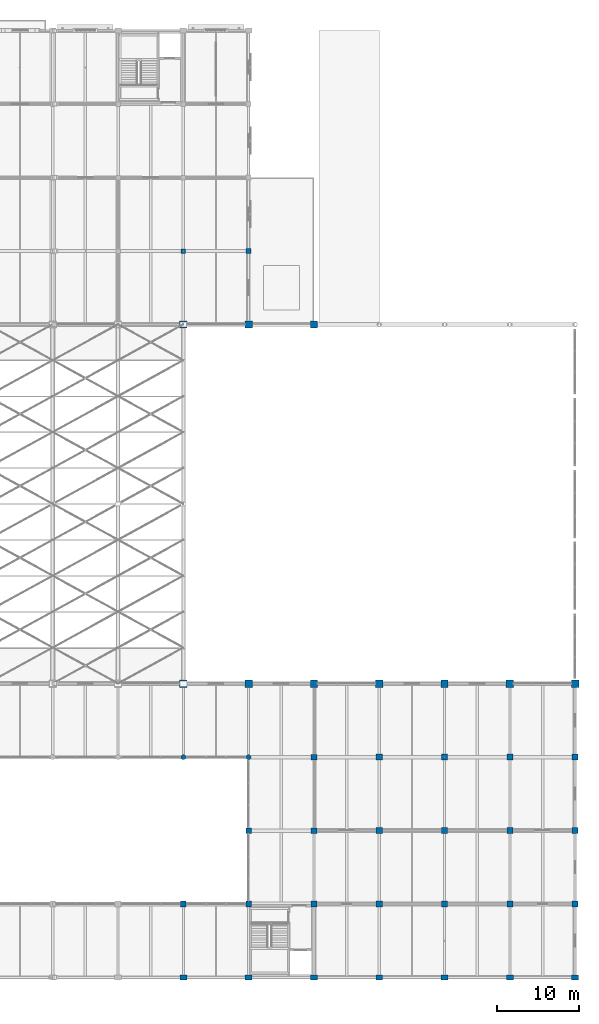
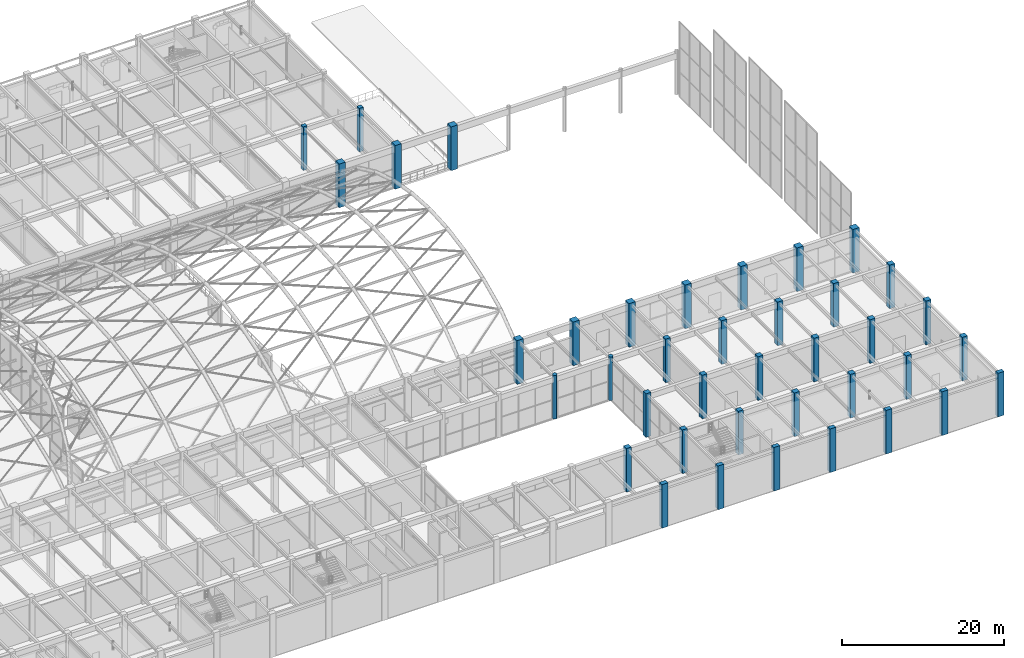
# One storey, part 6 of 163: 39 columns.
"""IFC4 building model written with IfcOpenShell, lengths in metres."""

import ifcopenshell
import ifcopenshell.guid

model = None  # the IFC model being written
_history = None  # IfcOwnerHistory: only IFC2X3 demands one
_inside = {}  # id of a spatial element -> (the spatial element, [elements in it])
_under = {}  # id of a project, library or spatial element -> (it, [spatial elements below it])
_declared = {}  # id of a project -> (the project, [libraries it declares])
_typed = {}  # id of a type object -> (the type object, [elements of that type])
_made_of = {}  # id of a material, layer set ... -> (it, [elements and type objects made of it])


def new_model(schema):
    """Start an empty IFC model of exactly this schema.

    Asked for "IFC4X3", IfcOpenShell would pick the latest addendum, in which some entities
    have other attributes; the version numbers below select the first issue.
    IFC2X3 requires an IfcOwnerHistory on every rooted entity: one is made here for all.
    """
    global model, _history
    if schema == "IFC4X3":
        model = ifcopenshell.file(schema_version=(4, 3, 0, 0))
    else:
        model = ifcopenshell.file(schema=schema)
    _inside.clear()
    _under.clear()
    _declared.clear()
    _typed.clear()
    _made_of.clear()
    _history = None
    if model.schema == "IFC2X3":
        org = make("IfcOrganization", Name="unknown")
        user = make(
            "IfcPersonAndOrganization",
            ThePerson=make("IfcPerson", FamilyName="unknown"),
            TheOrganization=org,
        )
        app = make(
            "IfcApplication",
            ApplicationDeveloper=org,
            Version="unknown",
            ApplicationFullName="unknown",
            ApplicationIdentifier="unknown",
        )
        _history = make(
            "IfcOwnerHistory",
            OwningUser=user,
            OwningApplication=app,
            ChangeAction="ADDED",
            CreationDate=0,
        )
    return model


def make(cls, **values):
    """One entity of the class cls with the attributes given. An attribute that is None is left unset."""
    return model.create_entity(
        cls, **{name: value for name, value in values.items() if value is not None}
    )


def rooted(cls, **values):
    """An entity with a GlobalId (a new one), such as an element, a storey or a relation."""
    return make(cls, GlobalId=ifcopenshell.guid.new(), OwnerHistory=_history, **values)


def si_unit(unit_type, name, prefix=None):
    """IfcSIUnit, for example si_unit("LENGTHUNIT", "METRE", prefix="MILLI")."""
    return make("IfcSIUnit", UnitType=unit_type, Prefix=prefix, Name=name)


def assignment(units):
    """IfcUnitAssignment: the units of a project."""
    return None if units is None else make("IfcUnitAssignment", Units=units)


def point(xyz):
    """IfcCartesianPoint."""
    return None if xyz is None else make("IfcCartesianPoint", Coordinates=xyz)


def direction(xyz):
    """IfcDirection."""
    return None if xyz is None else make("IfcDirection", DirectionRatios=xyz)


def frame(location, z_axis=None, x_axis=None):
    """IfcAxis2Placement3D, a coordinate frame: its origin and axes. An axis left out is left unset."""
    return make(
        "IfcAxis2Placement3D",
        Location=point(location),
        Axis=direction(z_axis),
        RefDirection=direction(x_axis),
    )


def frame_2d(location, x_axis=None):
    """IfcAxis2Placement2D, a coordinate frame in the plane: its origin and x axis."""
    return make(
        "IfcAxis2Placement2D", Location=point(location), RefDirection=direction(x_axis)
    )


def origin():
    """The frame at (0, 0, 0) with its axes left unset."""
    return frame((0.0, 0.0, 0.0))


def origin_2d():
    """The frame at (0, 0) in the plane with its x axis left unset."""
    return frame_2d((0.0, 0.0))


def place(relative_to, where):
    """IfcLocalPlacement: puts the frame where relative to a parent placement (None: the world)."""
    return make(
        "IfcLocalPlacement", PlacementRelTo=relative_to, RelativePlacement=where
    )


def context(
    kind, dimensions, precision=None, world=None, true_north=None, identifier=None
):
    """IfcGeometricRepresentationContext, for example the 3D "Model" context."""
    return make(
        "IfcGeometricRepresentationContext",
        ContextIdentifier=identifier,
        ContextType=kind,
        CoordinateSpaceDimension=dimensions,
        Precision=precision,
        WorldCoordinateSystem=world,
        TrueNorth=true_north,
    )


def subcontext(parent, identifier, kind, view, scale=None):
    """IfcGeometricRepresentationSubContext, for example "Body" below "Model"."""
    return make(
        "IfcGeometricRepresentationSubContext",
        ContextIdentifier=identifier,
        ContextType=kind,
        ParentContext=parent,
        TargetScale=scale,
        TargetView=view,
    )


def project(units=None, contexts=None):
    """IfcProject with its units and contexts."""
    return rooted(
        "IfcProject",
        Name="project",
        RepresentationContexts=contexts,
        UnitsInContext=assignment(units),
    )


def spatial(cls, under=None, at=None, **own):
    """A site, building, storey or space (cls), placed at a placement, below another one or the project."""
    s = rooted(cls, ObjectPlacement=at, **own)
    if under is not None:
        _under.setdefault(under.id(), (under, []))[1].append(s)
    return s


def profile(cls, at=None, kind="AREA", **sizes):
    """A parametric profile (cls). Its sizes go by their IFC names, for example OverallWidth=200.0."""
    return make(cls, ProfileType=kind, Position=at, **sizes)


def rectangle(**sizes):
    """IfcRectangleProfileDef."""
    return profile("IfcRectangleProfileDef", **sizes)


def circle(**sizes):
    """IfcCircleProfileDef."""
    return profile("IfcCircleProfileDef", **sizes)


def extrude(swept, where, along, depth):
    """IfcExtrudedAreaSolid: the profile swept, set in the frame where, extruded along a direction by depth."""
    return make(
        "IfcExtrudedAreaSolid",
        SweptArea=swept,
        Position=where,
        ExtrudedDirection=direction(along),
        Depth=depth,
    )


def shape(context_of_items, identifier, shape_type, items):
    """IfcShapeRepresentation: the items that make up one representation, for example the "Body"."""
    return make(
        "IfcShapeRepresentation",
        ContextOfItems=context_of_items,
        RepresentationIdentifier=identifier,
        RepresentationType=shape_type,
        Items=items,
    )


def material(Name=None, Category=None):
    """IfcMaterial."""
    return make("IfcMaterial", Name=Name, Category=Category)


def material_profile(
    of_material, cross_section, Name=None, Category=None, Priority=None
):
    """IfcMaterialProfile: a cross section and its material."""
    return make(
        "IfcMaterialProfile",
        Name=Name,
        Material=of_material,
        Profile=cross_section,
        Priority=Priority,
        Category=Category,
    )


def profile_set(profiles, Name=None, composite=None):
    """IfcMaterialProfileSet."""
    return make(
        "IfcMaterialProfileSet",
        Name=Name,
        MaterialProfiles=profiles,
        CompositeProfile=composite,
    )


def made_of(thing, what):
    """Note that an element or type object is made of a material, layer set ...; save() writes the relation."""
    if what is not None:
        _made_of.setdefault(what.id(), (what, []))[1].append(thing)
    return thing


def type_object(cls, material=None, **own):
    """A type object (cls), such as IfcWallType, which elements share."""
    return made_of(rooted(cls, **own), material)


def element(
    cls,
    number,
    at=None,
    inside=None,
    cuts=None,
    type_object=None,
    material=None,
    context=None,
    identifier="Body",
    shape_type=None,
    held_by="IfcProductDefinitionShape",
    body=None,
    shapes=None,
    **own,
):
    """One element of the class cls, such as IfcWall. Its Tag is "e" and its number.

    at: its placement. inside: the storey or other place that contains it. cuts: it is an
    opening in that element (IfcRelVoidsElement). A single representation is given by context,
    identifier, shape_type and body (its items); several are given by shapes. held_by: the class
    of the entity that holds the representations. save() writes the other relations.
    """
    e = rooted(cls, Tag="e%d" % number, ObjectPlacement=at, **own)
    if body is not None:
        shapes = [shape(context, identifier, shape_type, body)]
    if shapes is not None:
        e.Representation = make(held_by, Representations=shapes)
    if inside is not None:
        _inside.setdefault(inside.id(), (inside, []))[1].append(e)
    if cuts is not None:
        rooted(
            "IfcRelVoidsElement", RelatingBuildingElement=cuts, RelatedOpeningElement=e
        )
    if type_object is not None:
        _typed.setdefault(type_object.id(), (type_object, []))[1].append(e)
    return made_of(e, material)


def aggregate(whole, parts):
    """IfcRelAggregates: a whole, such as a stair, and the parts it consists of."""
    return rooted("IfcRelAggregates", RelatingObject=whole, RelatedObjects=parts)


def save(model, path):
    """Write the relations noted so far, then the file.

    IfcRelAggregates (storeys below a building ...), IfcRelContainedInSpatialStructure (elements
    in a storey), IfcRelDefinesByType, IfcRelAssociatesMaterial and IfcRelDeclares: one each for
    every whole, place, type object, material and project.
    """
    for whole, parts in _under.values():
        aggregate(whole, parts)
    for where, things in _inside.values():
        rooted(
            "IfcRelContainedInSpatialStructure",
            RelatedElements=things,
            RelatingStructure=where,
        )
    for kind, things in _typed.values():
        rooted("IfcRelDefinesByType", RelatedObjects=things, RelatingType=kind)
    for what, things in _made_of.values():
        rooted("IfcRelAssociatesMaterial", RelatedObjects=things, RelatingMaterial=what)
    for by, libraries in _declared.values():
        rooted("IfcRelDeclares", RelatingContext=by, RelatedDefinitions=libraries)
    model.write(path)


model = new_model("IFC4")

# Units and contexts
model_context = context("Model", 3, precision=1e-05, world=origin(), true_north=direction((0.0, 1.0)))
body_context = subcontext(model_context, "Body", "Model", "MODEL_VIEW")
ifc_project = project(units=[si_unit("LENGTHUNIT", "METRE"), si_unit("AREAUNIT", "SQUARE_METRE"), si_unit("VOLUMEUNIT", "CUBIC_METRE"), si_unit("PLANEANGLEUNIT", "RADIAN"), si_unit("MASSUNIT", "GRAM", prefix="KILO")], contexts=[model_context])

# Site, building, storey
site_placement = place(None, origin())
site = spatial("IfcSite", under=ifc_project, at=site_placement, CompositionType="ELEMENT")
building_placement = place(site_placement, origin())
building = spatial("IfcBuilding", under=site, at=building_placement, Name="Varnabhumi Central Station", CompositionType="ELEMENT")
storey_placement = place(building_placement, frame((0.0, 0.0, 9.60009765625)))
storey = spatial("IfcBuildingStorey", under=building, at=storey_placement, Name="L02", CompositionType="ELEMENT", Elevation=9.60009765625)

# Columns
ifc_material_1 = material(Name="Concrete M40", Category="concrete")
ifc_material_profile_1 = material_profile(ifc_material_1, rectangle(XDim=0.60009765625, YDim=0.60009765625, at=origin_2d()), Name="Concrete M40", Category="concrete")
ifc_profile_set_1 = profile_set([ifc_material_profile_1], Name="Concrete M40")
column_type_1 = type_object("IfcColumnType", Name="COL-NORTH-600", PredefinedType="COLUMN", material=ifc_profile_set_1)
column_1_placement = place(storey_placement, frame((144.0, 89.0, 0.0), z_axis=(0.0, 0.0, 1.0), x_axis=(1.0, 0.0, 0.0)))
element("IfcColumn", 1, at=column_1_placement, inside=storey, type_object=column_type_1, Name="Column L02-19L", PredefinedType="COLUMN", context=body_context, shape_type="SweptSolid", body=[
    extrude(rectangle(XDim=0.60009765625, YDim=0.60009765625, at=origin_2d()), origin(), (0.0, 0.0, 1.0), 6.599853515625),
])
ifc_material_profile_2 = material_profile(ifc_material_1, rectangle(XDim=0.550048828125, YDim=0.550048828125, at=origin_2d()), Name="Concrete M40", Category="concrete")
ifc_profile_set_2 = profile_set([ifc_material_profile_2], Name="Concrete M40")
column_type_2 = type_object("IfcColumnType", Name="COL-RC-550", PredefinedType="COLUMN", material=ifc_profile_set_2)
column_2_placement = place(storey_placement, frame((136.0, 89.0, 0.0), z_axis=(0.0, 0.0, 1.0), x_axis=(1.0, 0.0, 0.0)))
element("IfcColumn", 2, at=column_2_placement, inside=storey, type_object=column_type_2, Name="Column L02-18L", PredefinedType="COLUMN", context=body_context, shape_type="SweptSolid", body=[
    extrude(rectangle(XDim=0.550048828125, YDim=0.550048828125, at=origin_2d()), origin(), (0.0, 0.0, 1.0), 6.599853515625),
])
ifc_material_profile_3 = material_profile(ifc_material_1, rectangle(XDim=0.75, YDim=0.75, at=origin_2d()), Name="Concrete M40", Category="concrete")
ifc_profile_set_3 = profile_set([ifc_material_profile_3], Name="Concrete M40")
column_type_3 = type_object("IfcColumnType", Name="COL-RC-750", PredefinedType="COLUMN", material=ifc_profile_set_3)
for number, where, z_axis, x_axis, name in (
    (3, (160.0, 9.0, 0.0), (0.0, 0.0, 1.0), (1.0, 0.0, 0.0), "Column L02-21B"),
    (4, (160.0, 18.0, 0.0), (0.0, 0.0, 1.0), (1.0, 0.0, 0.0), "Column L02-21C"),
    (5, (160.0, 27.0, 0.0), (0.0, 0.0, 1.0), (1.0, 0.0, 0.0), "Column L02-21D"),
    (6, (168.0, 9.0, 0.0), (0.0, 0.0, 1.0), (1.0, 0.0, 0.0), "Column L02-22B"),
    (7, (168.0, 18.0, 0.0), (0.0, 0.0, 1.0), (1.0, 0.0, 0.0), "Column L02-22C"),
    (8, (168.0, 27.0, 0.0), (0.0, 0.0, 1.0), (1.0, 0.0, 0.0), "Column L02-22D"),
    (9, (176.0, 9.0, 0.0), (0.0, 0.0, 1.0), (1.0, 0.0, 0.0), "Column L02-23B"),
    (10, (176.0, 18.0, 0.0), (0.0, 0.0, 1.0), (1.0, 0.0, 0.0), "Column L02-23C"),
    (11, (176.0, 27.0, 0.0), (0.0, 0.0, 1.0), (1.0, 0.0, 0.0), "Column L02-23D"),
    (12, (184.0, 9.0, 0.0), (0.0, 0.0, 1.0), (1.0, 0.0, 0.0), "Column L02-24B"),
    (13, (184.0, 18.0, 0.0), (0.0, 0.0, 1.0), (1.0, 0.0, 0.0), "Column L02-24C"),
    (14, (184.0, 27.0, 0.0), (0.0, 0.0, 1.0), (1.0, 0.0, 0.0), "Column L02-24D"),
):
    element("IfcColumn", number, at=place(storey_placement, frame(where, z_axis=z_axis, x_axis=x_axis)), inside=storey, type_object=column_type_3, Name=name, PredefinedType="COLUMN", context=body_context, shape_type="SweptSolid", body=[
        extrude(rectangle(XDim=0.75, YDim=0.75, at=origin_2d()), origin(), (0.0, 0.0, 1.0), 6.599853515625),
    ])
ifc_material_profile_4 = material_profile(ifc_material_1, rectangle(XDim=0.85009765625, YDim=0.60009765625, at=origin_2d()), Name="Concrete M40", Category="concrete")
ifc_profile_set_4 = profile_set([ifc_material_profile_4], Name="Concrete M40")
column_type_4 = type_object("IfcColumnType", Name="COL-RC-850x600", PredefinedType="PILASTER", material=ifc_profile_set_4)
for number, where, z_axis, x_axis, name in (
    (15, (136.0, 0.0, 0.0), (0.0, 0.0, 1.0), (1.0, 0.0, 0.0), "Column L02-18A"),
    (16, (144.0, 0.0, 0.0), (0.0, 0.0, 1.0), (1.0, 0.0, 0.0), "Column L02-19A"),
    (17, (152.0, 0.0, 0.0), (0.0, 0.0, 1.0), (1.0, 0.0, 0.0), "Column L02-20A"),
    (18, (160.0, 0.0, 0.0), (0.0, 0.0, 1.0), (1.0, 0.0, 0.0), "Column L02-21A"),
    (19, (168.0, 0.0, 0.0), (0.0, 0.0, 1.0), (1.0, 0.0, 0.0), "Column L02-22A"),
    (20, (176.0, 0.0, 0.0), (0.0, 0.0, 1.0), (1.0, 0.0, 0.0), "Column L02-23A"),
    (21, (184.0, 0.0, 0.0), (0.0, 0.0, 1.0), (1.0, 0.0, 0.0), "Column L02-24A"),
):
    element("IfcColumn", number, at=place(storey_placement, frame(where, z_axis=z_axis, x_axis=x_axis)), inside=storey, type_object=column_type_4, Name=name, PredefinedType="PILASTER", context=body_context, shape_type="SweptSolid", body=[
        extrude(rectangle(XDim=0.85009765625, YDim=0.60009765625, at=origin_2d()), origin(), (0.0, 0.0, 1.0), 6.599853515625),
    ])
ifc_material_profile_5 = material_profile(ifc_material_1, circle(Radius=0.300048828125, at=origin_2d()), Name="Concrete M40", Category="concrete")
ifc_profile_set_5 = profile_set([ifc_material_profile_5], Name="Concrete M40")
column_type_5 = type_object("IfcColumnType", Name="COL-RC-D600", PredefinedType="COLUMN", material=ifc_profile_set_5)
for number, where, z_axis, x_axis, name in (
    (22, (136.0, 27.0, 0.0), (0.0, 0.0, 1.0), (1.0, 0.0, 0.0), "Column L02-18D"),
    (23, (144.0, 27.0, 0.0), (0.0, 0.0, 1.0), (1.0, 0.0, 0.0), "Column L02-19D"),
):
    element("IfcColumn", number, at=place(storey_placement, frame(where, z_axis=z_axis, x_axis=x_axis)), inside=storey, type_object=column_type_5, Name=name, PredefinedType="COLUMN", context=body_context, shape_type="SweptSolid", body=[
        extrude(circle(Radius=0.300048828125, at=origin_2d()), origin(), (0.0, 0.0, 1.0), 6.599853515625),
    ])
ifc_material_profile_6 = material_profile(ifc_material_1, rectangle(XDim=0.699951171875, YDim=0.699951171875, at=origin_2d()), Name="Concrete M40", Category="concrete")
ifc_profile_set_6 = profile_set([ifc_material_profile_6], Name="Concrete M40")
column_type_6 = type_object("IfcColumnType", Name="COL-SOUTH-700", PredefinedType="COLUMN", material=ifc_profile_set_6)
for number, where, z_axis, x_axis, name in (
    (24, (136.0, 9.0, 0.0), (0.0, 0.0, 1.0), (1.0, 0.0, 0.0), "Column L02-18B"),
    (25, (144.0, 9.0, 0.0), (0.0, 0.0, 1.0), (1.0, 0.0, 0.0), "Column L02-19B"),
    (26, (144.0, 18.0, 0.0), (0.0, 0.0, 1.0), (1.0, 0.0, 0.0), "Column L02-19C"),
    (27, (152.0, 9.0, 0.0), (0.0, 0.0, 1.0), (1.0, 0.0, 0.0), "Column L02-20B"),
    (28, (152.0, 18.0, 0.0), (0.0, 0.0, 1.0), (1.0, 0.0, 0.0), "Column L02-20C"),
    (29, (152.0, 27.0, 0.0), (0.0, 0.0, 1.0), (1.0, 0.0, 0.0), "Column L02-20D"),
):
    element("IfcColumn", number, at=place(storey_placement, frame(where, z_axis=z_axis, x_axis=x_axis)), inside=storey, type_object=column_type_6, Name=name, PredefinedType="COLUMN", context=body_context, shape_type="SweptSolid", body=[
        extrude(rectangle(XDim=0.699951171875, YDim=0.699951171875, at=origin_2d()), origin(), (0.0, 0.0, 1.0), 6.599853515625),
    ])
ifc_material_2 = material(Name="Concrete M50", Category="concrete")
ifc_material_profile_7 = material_profile(ifc_material_2, rectangle(XDim=0.89990234375, YDim=0.89990234375, at=origin_2d()), Name="Concrete M50", Category="concrete")
ifc_profile_set_7 = profile_set([ifc_material_profile_7], Name="Concrete M50")
column_type_7 = type_object("IfcColumnType", Name="COL-SPINE-M50-900x900", PredefinedType="COLUMN", material=ifc_profile_set_7)
for number, where, z_axis, x_axis, name in (
    (30, (136.0, 36.0, 0.0), (0.0, 0.0, 1.0), (1.0, 0.0, 0.0), "Column L02-18E"),
    (31, (136.0, 80.0, 0.0), (0.0, 0.0, 1.0), (1.0, 0.0, 0.0), "Column L02-18K"),
    (32, (144.0, 36.0, 0.0), (0.0, 0.0, 1.0), (1.0, 0.0, 0.0), "Column L02-19E"),
    (33, (144.0, 80.0, 0.0), (0.0, 0.0, 1.0), (1.0, 0.0, 0.0), "Column L02-19K"),
    (34, (152.0, 36.0, 0.0), (0.0, 0.0, 1.0), (1.0, 0.0, 0.0), "Column L02-20E"),
    (35, (160.0, 36.0, 0.0), (0.0, 0.0, 1.0), (1.0, 0.0, 0.0), "Column L02-21E"),
    (36, (168.0, 36.0, 0.0), (0.0, 0.0, 1.0), (1.0, 0.0, 0.0), "Column L02-22E"),
    (37, (176.0, 36.0, 0.0), (0.0, 0.0, 1.0), (1.0, 0.0, 0.0), "Column L02-23E"),
    (38, (184.0, 36.0, 0.0), (0.0, 0.0, 1.0), (1.0, 0.0, 0.0), "Column L02-24E"),
    (39, (152.0, 80.0, 0.0), (0.0, 0.0, 1.0), (1.0, 0.0, 0.0), "Vault Mast L02-20K"),
):
    element("IfcColumn", number, at=place(storey_placement, frame(where, z_axis=z_axis, x_axis=x_axis)), inside=storey, type_object=column_type_7, Name=name, PredefinedType="COLUMN", context=body_context, shape_type="SweptSolid", body=[
        extrude(rectangle(XDim=0.89990234375, YDim=0.89990234375, at=origin_2d()), origin(), (0.0, 0.0, 1.0), 6.599853515625),
    ])

save(model, "model.ifc")
